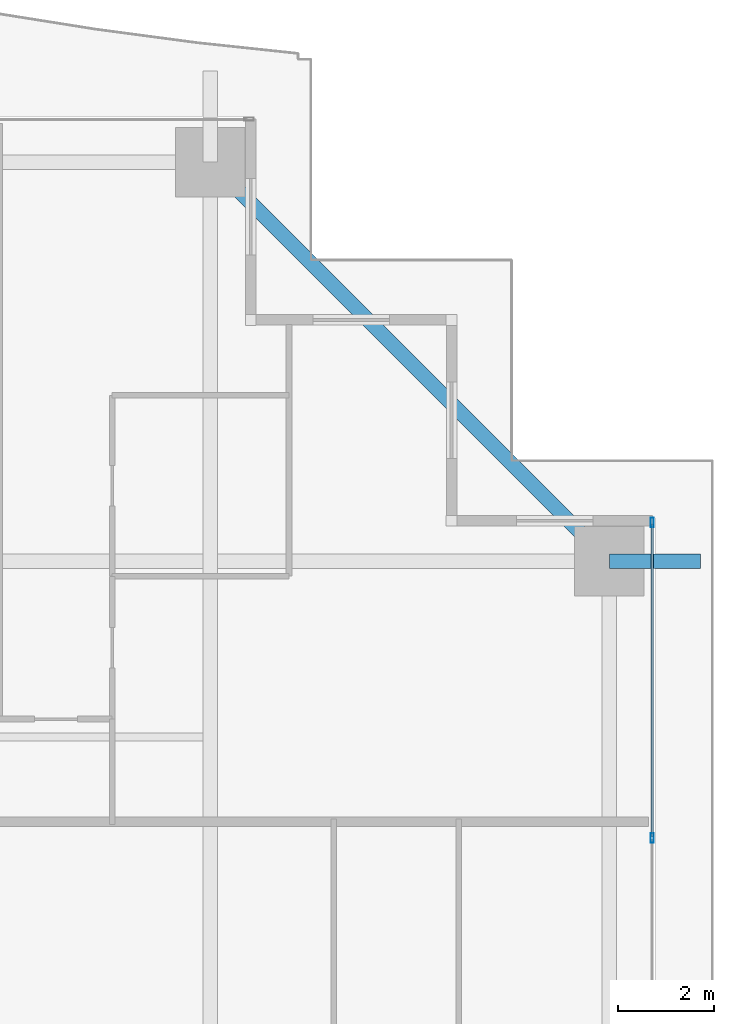
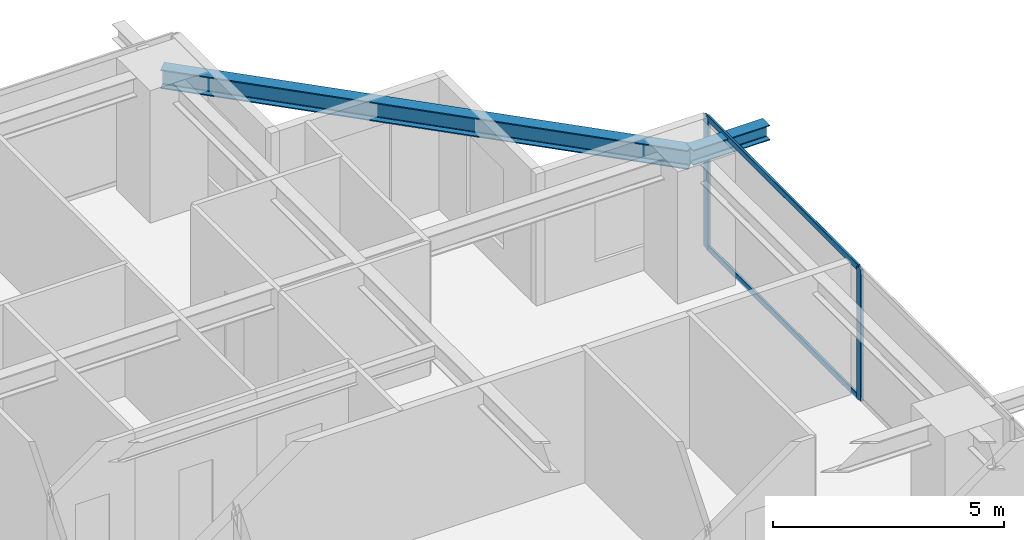
# One storey, part 20 of 36: 4 members, 2 beams, 1 element without a shape of its own.
"""IFC4 building model written with IfcOpenShell, lengths in metres."""

from ifc_helpers import new_model, si_unit, direction, frame, origin, origin_2d, place, context, subcontext, project, spatial, hollow_rectangle, i_section, extrude, source, transform, mapped, material, layer, layer_set, material_profile, profile_set, type_object, element, aggregate, save


model = new_model("IFC4")

# Units and contexts
model_context = context("Model", 3, precision=1e-05, world=origin(), true_north=direction((0.0, 1.0)))
body_context = subcontext(model_context, "Body", "Model", "MODEL_VIEW")
ifc_project = project(units=[si_unit("LENGTHUNIT", "METRE"), si_unit("AREAUNIT", "SQUARE_METRE"), si_unit("VOLUMEUNIT", "CUBIC_METRE"), si_unit("PLANEANGLEUNIT", "RADIAN"), si_unit("MASSUNIT", "GRAM", prefix="KILO")], contexts=[model_context])

# Site, building, storey
site_placement = place(None, origin())
site = spatial("IfcSite", under=ifc_project, at=site_placement, CompositionType="ELEMENT")
building_placement = place(site_placement, origin())
building = spatial("IfcBuilding", under=site, at=building_placement, Name="Serunith Strait Residences", CompositionType="ELEMENT")
storey_placement = place(building_placement, frame((0.0, 0.0, 86.699951171875)))
storey = spatial("IfcBuildingStorey", under=building, at=storey_placement, Name="L21", CompositionType="ELEMENT", Elevation=86.699951171875)

# Beams
ifc_material_1 = material(Name="Steel S355J2", Category="steel")
ifc_material_profile_1 = material_profile(ifc_material_1, i_section(OverallWidth=0.300048828125, OverallDepth=0.5, WebThickness=0.014404296875, FlangeThickness=0.028076171875, FilletRadius=0.027099609375, at=origin_2d()), Name="HEB 500")
ifc_profile_set_1 = profile_set([ifc_material_profile_1], Name="Steel S355J2")
beam_type_1 = type_object("IfcBeamType", Name="BM-HEB500", PredefinedType="BEAM", material=ifc_profile_set_1)
shared_shape_1 = source(origin(), body_context, "Body", "SweptSolid", [
    extrude(i_section(OverallWidth=0.300048828125, OverallDepth=0.5, WebThickness=0.014404296875, FlangeThickness=0.028076171875, FilletRadius=0.027099609375, at=origin_2d()), origin(), (0.0, 0.0, 1.0), 11.80859375),
])
beam_1_placement = place(storey_placement, frame((57.89990234375, 40.949951171875, 3.20703125), z_axis=(-0.707096443746, 0.707117118476, 0.0), x_axis=(-0.707117118476, -0.707096443746, 0.0)))
element("IfcBeam", 1, at=beam_1_placement, inside=storey, type_object=beam_type_1, Name="L21 Perimeter Ring Beam 08", PredefinedType="BEAM", context=body_context, shape_type="MappedRepresentation", body=[
    mapped(shared_shape_1, transform((0.0, 0.0, 0.0), scale=1.0)),
])
ifc_material_profile_2 = material_profile(ifc_material_1, i_section(OverallWidth=0.300048828125, OverallDepth=0.39990234375, WebThickness=0.013427734375, FlangeThickness=0.02392578125, FilletRadius=0.027099609375, at=origin_2d()), Name="HEB 400")
ifc_profile_set_2 = profile_set([ifc_material_profile_2], Name="Steel S355J2")
beam_type_2 = type_object("IfcBeamType", Name="BM-HEB400", PredefinedType="BEAM", material=ifc_profile_set_2)
shared_shape_2 = source(origin(), body_context, "Body", "SweptSolid", [
    extrude(i_section(OverallWidth=0.300048828125, OverallDepth=0.39990234375, WebThickness=0.013427734375, FlangeThickness=0.02392578125, FilletRadius=0.027099609375, at=origin_2d()), origin(), (0.0, 0.0, 1.0), 1.91015625),
])
beam_2_placement = place(storey_placement, frame((57.89990234375, 40.949951171875, 3.257080078125), z_axis=(1.0, 0.0, 0.0), x_axis=(0.0, 1.0, 0.0)))
element("IfcBeam", 2, at=beam_2_placement, inside=storey, type_object=beam_type_2, Name="L22 Cantilevered Balcony Rib TC-E4", PredefinedType="BEAM", context=body_context, shape_type="MappedRepresentation", body=[
    mapped(shared_shape_2, transform((0.0, 0.0, 0.0), scale=1.0)),
])

# Curtain wall, members
ifc_material_2 = material(Name="Pale-Champagne Anodised Aluminium", Category="aluminium")
ifc_layer = layer(ifc_material_2, 0.199951171875, Name="Pale-Champagne Anodised Aluminium")
ifc_layer_set = layer_set([ifc_layer], Name="Pale-Champagne Anodised Aluminium")
curtain_wall_type = type_object("IfcCurtainWallType", Name="CW-SYS1", PredefinedType="NOTDEFINED", material=ifc_layer_set)
curtain_wall_placement = place(storey_placement, origin())
curtain_wall = element("IfcCurtainWall", 3, at=curtain_wall_placement, inside=storey, type_object=curtain_wall_type, Name="L21 E Unitised Fritted Curtain Wall", PredefinedType="NOTDEFINED")
ifc_material_profile_3 = material_profile(ifc_material_2, hollow_rectangle(XDim=0.070068359375, YDim=0.199951171875, WallThickness=0.00390625, InnerFilletRadius=0.006103515625, OuterFilletRadius=0.010009765625, at=origin_2d()), Name="ALU 200x70x4")
ifc_profile_set_3 = profile_set([ifc_material_profile_3], Name="Pale-Champagne Anodised Aluminium")
member_type_1 = type_object("IfcMemberType", Name="CW-SYS1-MULL", PredefinedType="MULLION", material=ifc_profile_set_3)
shared_shape_3 = source(origin(), body_context, "Body", "SweptSolid", [
    extrude(hollow_rectangle(XDim=0.070068359375, YDim=0.199951171875, WallThickness=0.00390625, InnerFilletRadius=0.006103515625, OuterFilletRadius=0.010009765625, at=origin_2d()), origin(), (0.0, 0.0, 1.0), 3.47509765625),
])
member_1_placement = place(storey_placement, frame((58.800048828125, 35.159912109375, 0.0), z_axis=(0.0, 0.0, 1.0), x_axis=(-1.0, 0.0, 0.0)))
member_1 = element("IfcMember", 4, at=member_1_placement, type_object=member_type_1, Name="CW-1 mullion 5", PredefinedType="MULLION", context=body_context, shape_type="MappedRepresentation", body=[
    mapped(shared_shape_3, transform((0.0, 0.0, 0.0), scale=1.0)),
])
member_2_placement = place(storey_placement, frame((58.800048828125, 41.764892578125, 0.0), z_axis=(0.0, 0.0, 1.0), x_axis=(-1.0, 0.0, 0.0)))
member_2 = element("IfcMember", 5, at=member_2_placement, type_object=member_type_1, Name="CW-1 mullion 6", PredefinedType="MULLION", context=body_context, shape_type="MappedRepresentation", body=[
    mapped(shared_shape_3, transform((0.0, 0.0, 0.0), scale=1.0)),
])
ifc_material_profile_4 = material_profile(ifc_material_2, hollow_rectangle(XDim=0.06005859375, YDim=0.159912109375, WallThickness=0.00341796875, InnerFilletRadius=0.00537109375, OuterFilletRadius=0.0087890625, at=origin_2d()), Name="ALU 160x60x3.5")
ifc_profile_set_4 = profile_set([ifc_material_profile_4], Name="Pale-Champagne Anodised Aluminium")
member_type_2 = type_object("IfcMemberType", Name="CW-SYS1-TRAN", PredefinedType="USERDEFINED", material=ifc_profile_set_4)
shared_shape_4 = source(origin(), body_context, "Body", "SweptSolid", [
    extrude(hollow_rectangle(XDim=0.06005859375, YDim=0.159912109375, WallThickness=0.00341796875, InnerFilletRadius=0.00537109375, OuterFilletRadius=0.0087890625, at=origin_2d()), origin(), (0.0, 0.0, 1.0), 6.534912109375),
])
member_3_placement = place(storey_placement, frame((58.800048828125, 35.195068359375, 0.030029296875), z_axis=(0.0, 1.0, 0.0), x_axis=(-1.0, 0.0, 0.0)))
member_3 = element("IfcMember", 6, at=member_3_placement, type_object=member_type_2, Name="CW-1 transom 5.1", ObjectType="TRANSOM", PredefinedType="USERDEFINED", context=body_context, shape_type="MappedRepresentation", body=[
    mapped(shared_shape_4, transform((0.0, 0.0, 0.0), scale=1.0)),
])
member_4_placement = place(storey_placement, frame((58.800048828125, 35.195068359375, 3.445068359375), z_axis=(0.0, 1.0, 0.0), x_axis=(-1.0, 0.0, 0.0)))
member_4 = element("IfcMember", 7, at=member_4_placement, type_object=member_type_2, Name="CW-1 transom 5.2", ObjectType="TRANSOM", PredefinedType="USERDEFINED", context=body_context, shape_type="MappedRepresentation", body=[
    mapped(shared_shape_4, transform((0.0, 0.0, 0.0), scale=1.0)),
])
aggregate(curtain_wall, [member_1, member_2, member_3, member_4])

save(model, "model.ifc")
